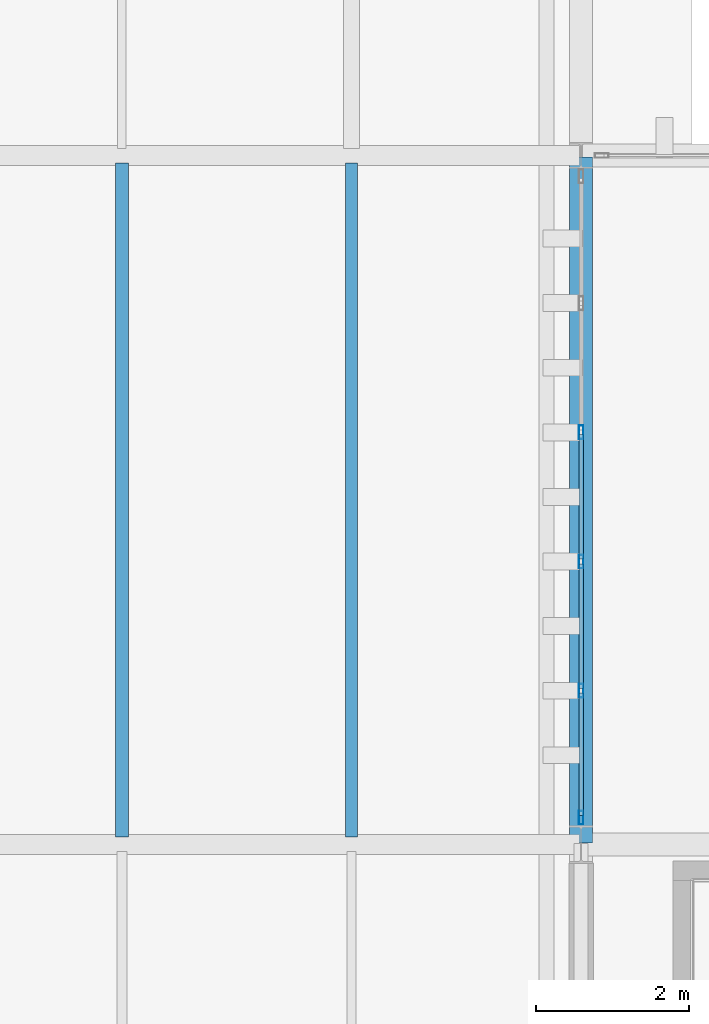
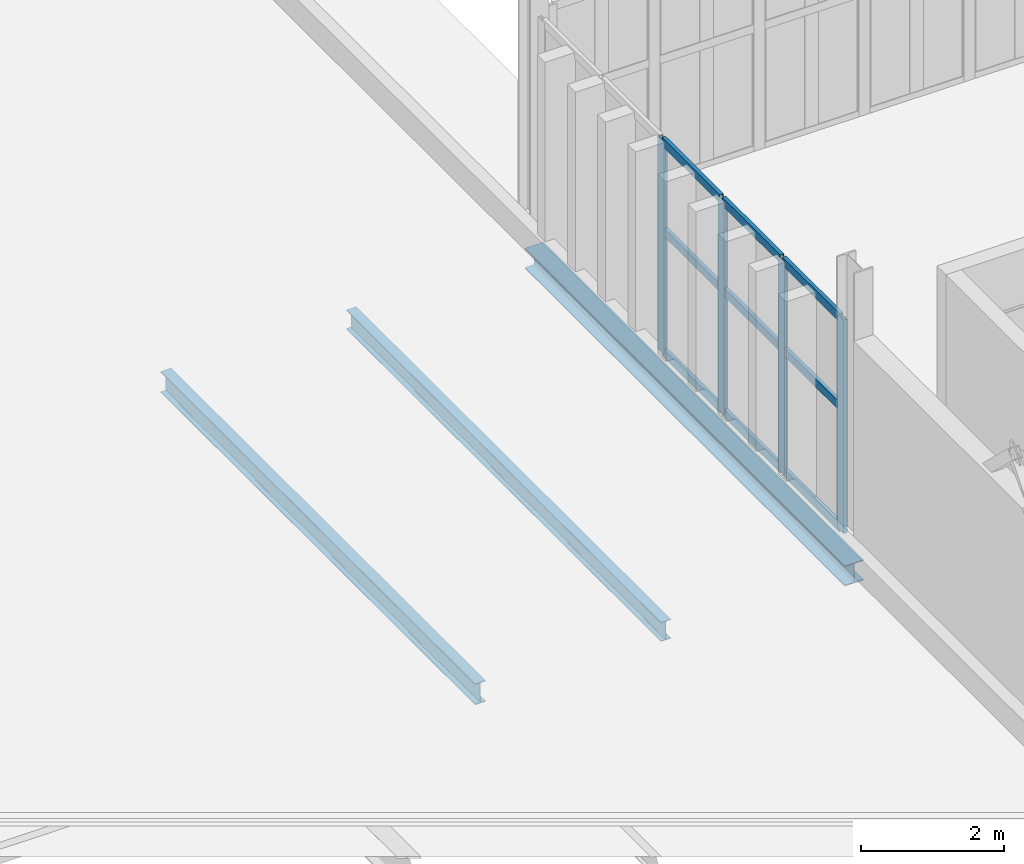
# One storey, part 91 of 196: 13 members, 3 beams, 1 element without a shape of its own.
"""IFC4 building model written with IfcOpenShell, lengths in metres."""

from ifc_helpers import new_model, si_unit, direction, frame, origin, origin_2d, place, context, subcontext, project, spatial, hollow_rectangle, i_section, extrude, material, layer, layer_set, material_profile, profile_set, type_object, element, aggregate, save


model = new_model("IFC4")

# Units and contexts
model_context = context("Model", 3, precision=1e-05, world=origin(), true_north=direction((0.0, 1.0)))
body_context = subcontext(model_context, "Body", "Model", "MODEL_VIEW")
ifc_project = project(units=[si_unit("LENGTHUNIT", "METRE"), si_unit("AREAUNIT", "SQUARE_METRE"), si_unit("VOLUMEUNIT", "CUBIC_METRE"), si_unit("PLANEANGLEUNIT", "RADIAN"), si_unit("MASSUNIT", "GRAM", prefix="KILO")], contexts=[model_context])

# Site, building, storey
site_placement = place(None, origin())
site = spatial("IfcSite", under=ifc_project, at=site_placement, CompositionType="ELEMENT")
building_placement = place(site_placement, origin())
building = spatial("IfcBuilding", under=site, at=building_placement, Name="Barlavento Convention Centre", CompositionType="ELEMENT")
storey_placement = place(building_placement, frame((0.0, 0.0, 18.0)))
storey = spatial("IfcBuildingStorey", under=building, at=storey_placement, Name="L03", CompositionType="ELEMENT", Elevation=18.0)

# Curtain wall, members
ifc_material_1 = material(Name="Powder-coated aluminium and Low-E glass", Category="aluminium")
ifc_layer = layer(ifc_material_1, 0.179931640625)
ifc_layer_set = layer_set([ifc_layer], Name="ARC-CW-CONF-L03")
curtain_wall_type = type_object("IfcCurtainWallType", Name="ARC-CW-CONF-L03", PredefinedType="NOTDEFINED", material=ifc_layer_set)
curtain_wall_placement = place(storey_placement, origin())
curtain_wall = element("IfcCurtainWall", 1, at=curtain_wall_placement, inside=storey, type_object=curtain_wall_type, Name="L03 unitised curtain wall CW08", PredefinedType="NOTDEFINED")
ifc_material_2 = material(Name="Powder-coated aluminium", Category="aluminium")
ifc_material_profile_1 = material_profile(ifc_material_2, hollow_rectangle(XDim=0.06005859375, YDim=0.179931640625, WallThickness=0.0048828125, at=origin_2d()), Name="AL-MULL 60x180x5")
ifc_profile_set_1 = profile_set([ifc_material_profile_1], Name="Powder-coated aluminium")
member_type_1 = type_object("IfcMemberType", Name="ARC-CWM-60X180", PredefinedType="MULLION", material=ifc_profile_set_1)
member_1_placement = place(storey_placement, frame((126.0, 90.35009765625, 0.0), z_axis=(0.0, 0.0, 1.0), x_axis=(-1.0, 0.0, 0.0)))
member_1 = element("IfcMember", 2, at=member_1_placement, type_object=member_type_1, Name="CW08 mullion 1", PredefinedType="MULLION", context=body_context, shape_type="SweptSolid", body=[
    extrude(hollow_rectangle(XDim=0.06005859375, YDim=0.179931640625, WallThickness=0.0048828125, at=origin_2d()), origin(), (0.0, 0.0, 1.0), 3.64990234375),
])
member_2_placement = place(storey_placement, frame((126.0, 92.008056640625, 0.0), z_axis=(0.0, 0.0, 1.0), x_axis=(-1.0, 0.0, 0.0)))
member_2 = element("IfcMember", 3, at=member_2_placement, type_object=member_type_1, Name="CW08 mullion 2", PredefinedType="MULLION", context=body_context, shape_type="SweptSolid", body=[
    extrude(hollow_rectangle(XDim=0.06005859375, YDim=0.179931640625, WallThickness=0.0048828125, at=origin_2d()), origin(), (0.0, 0.0, 1.0), 3.64990234375),
])
member_3_placement = place(storey_placement, frame((126.0, 93.696044921875, 0.0), z_axis=(0.0, 0.0, 1.0), x_axis=(-1.0, 0.0, 0.0)))
member_3 = element("IfcMember", 4, at=member_3_placement, type_object=member_type_1, Name="CW08 mullion 3", PredefinedType="MULLION", context=body_context, shape_type="SweptSolid", body=[
    extrude(hollow_rectangle(XDim=0.06005859375, YDim=0.179931640625, WallThickness=0.0048828125, at=origin_2d()), origin(), (0.0, 0.0, 1.0), 3.64990234375),
])
member_4_placement = place(storey_placement, frame((126.0, 95.384033203125, 0.0), z_axis=(0.0, 0.0, 1.0), x_axis=(-1.0, 0.0, 0.0)))
member_4 = element("IfcMember", 5, at=member_4_placement, type_object=member_type_1, Name="CW08 mullion 4", PredefinedType="MULLION", context=body_context, shape_type="SweptSolid", body=[
    extrude(hollow_rectangle(XDim=0.06005859375, YDim=0.179931640625, WallThickness=0.0048828125, at=origin_2d()), origin(), (0.0, 0.0, 1.0), 3.64990234375),
])
ifc_material_profile_2 = material_profile(ifc_material_2, hollow_rectangle(XDim=0.06005859375, YDim=0.139892578125, WallThickness=0.00390625, at=origin_2d()), Name="AL-TRAN 60x140x4")
ifc_profile_set_2 = profile_set([ifc_material_profile_2], Name="Powder-coated aluminium")
member_type_2 = type_object("IfcMemberType", Name="ARC-CWT-60X140", PredefinedType="USERDEFINED", material=ifc_profile_set_2)
member_5_placement = place(storey_placement, frame((126.0, 90.3798828125, 0.030029296875), z_axis=(0.0, 1.0, 0.0), x_axis=(-1.0, 0.0, 0.0)))
member_5 = element("IfcMember", 6, at=member_5_placement, type_object=member_type_2, Name="CW08 transom 1.1", ObjectType="TRANSOM", PredefinedType="USERDEFINED", context=body_context, shape_type="SweptSolid", body=[
    extrude(hollow_rectangle(XDim=0.06005859375, YDim=0.139892578125, WallThickness=0.00390625, at=origin_2d()), origin(), (0.0, 0.0, 1.0), 1.59814453125),
])
member_6_placement = place(storey_placement, frame((126.0, 90.3798828125, 2.10009765625), z_axis=(0.0, 1.0, 0.0), x_axis=(-1.0, 0.0, 0.0)))
member_6 = element("IfcMember", 7, at=member_6_placement, type_object=member_type_2, Name="CW08 transom 1.2", ObjectType="TRANSOM", PredefinedType="USERDEFINED", context=body_context, shape_type="SweptSolid", body=[
    extrude(hollow_rectangle(XDim=0.06005859375, YDim=0.139892578125, WallThickness=0.00390625, at=origin_2d()), origin(), (0.0, 0.0, 1.0), 1.59814453125),
])
member_7_placement = place(storey_placement, frame((126.0, 90.3798828125, 3.6201171875), z_axis=(0.0, 1.0, 0.0), x_axis=(-1.0, 0.0, 0.0)))
member_7 = element("IfcMember", 8, at=member_7_placement, type_object=member_type_2, Name="CW08 transom 1.3", ObjectType="TRANSOM", PredefinedType="USERDEFINED", context=body_context, shape_type="SweptSolid", body=[
    extrude(hollow_rectangle(XDim=0.06005859375, YDim=0.139892578125, WallThickness=0.00390625, at=origin_2d()), origin(), (0.0, 0.0, 1.0), 1.59814453125),
])
member_8_placement = place(storey_placement, frame((126.0, 92.0380859375, 0.030029296875), z_axis=(0.0, 1.0, 0.0), x_axis=(-1.0, 0.0, 0.0)))
member_8 = element("IfcMember", 9, at=member_8_placement, type_object=member_type_2, Name="CW08 transom 2.1", ObjectType="TRANSOM", PredefinedType="USERDEFINED", context=body_context, shape_type="SweptSolid", body=[
    extrude(hollow_rectangle(XDim=0.06005859375, YDim=0.139892578125, WallThickness=0.00390625, at=origin_2d()), origin(), (0.0, 0.0, 1.0), 1.6279296875),
])
member_9_placement = place(storey_placement, frame((126.0, 92.0380859375, 2.10009765625), z_axis=(0.0, 1.0, 0.0), x_axis=(-1.0, 0.0, 0.0)))
member_9 = element("IfcMember", 10, at=member_9_placement, type_object=member_type_2, Name="CW08 transom 2.2", ObjectType="TRANSOM", PredefinedType="USERDEFINED", context=body_context, shape_type="SweptSolid", body=[
    extrude(hollow_rectangle(XDim=0.06005859375, YDim=0.139892578125, WallThickness=0.00390625, at=origin_2d()), origin(), (0.0, 0.0, 1.0), 1.6279296875),
])
member_10_placement = place(storey_placement, frame((126.0, 92.0380859375, 3.6201171875), z_axis=(0.0, 1.0, 0.0), x_axis=(-1.0, 0.0, 0.0)))
member_10 = element("IfcMember", 11, at=member_10_placement, type_object=member_type_2, Name="CW08 transom 2.3", ObjectType="TRANSOM", PredefinedType="USERDEFINED", context=body_context, shape_type="SweptSolid", body=[
    extrude(hollow_rectangle(XDim=0.06005859375, YDim=0.139892578125, WallThickness=0.00390625, at=origin_2d()), origin(), (0.0, 0.0, 1.0), 1.6279296875),
])
member_11_placement = place(storey_placement, frame((126.0, 93.72607421875, 0.030029296875), z_axis=(0.0, 1.0, 0.0), x_axis=(-1.0, 0.0, 0.0)))
member_11 = element("IfcMember", 12, at=member_11_placement, type_object=member_type_2, Name="CW08 transom 3.1", ObjectType="TRANSOM", PredefinedType="USERDEFINED", context=body_context, shape_type="SweptSolid", body=[
    extrude(hollow_rectangle(XDim=0.06005859375, YDim=0.139892578125, WallThickness=0.00390625, at=origin_2d()), origin(), (0.0, 0.0, 1.0), 1.6279296875),
])
member_12_placement = place(storey_placement, frame((126.0, 93.72607421875, 2.10009765625), z_axis=(0.0, 1.0, 0.0), x_axis=(-1.0, 0.0, 0.0)))
member_12 = element("IfcMember", 13, at=member_12_placement, type_object=member_type_2, Name="CW08 transom 3.2", ObjectType="TRANSOM", PredefinedType="USERDEFINED", context=body_context, shape_type="SweptSolid", body=[
    extrude(hollow_rectangle(XDim=0.06005859375, YDim=0.139892578125, WallThickness=0.00390625, at=origin_2d()), origin(), (0.0, 0.0, 1.0), 1.6279296875),
])
member_13_placement = place(storey_placement, frame((126.0, 93.72607421875, 3.6201171875), z_axis=(0.0, 1.0, 0.0), x_axis=(-1.0, 0.0, 0.0)))
member_13 = element("IfcMember", 14, at=member_13_placement, type_object=member_type_2, Name="CW08 transom 3.3", ObjectType="TRANSOM", PredefinedType="USERDEFINED", context=body_context, shape_type="SweptSolid", body=[
    extrude(hollow_rectangle(XDim=0.06005859375, YDim=0.139892578125, WallThickness=0.00390625, at=origin_2d()), origin(), (0.0, 0.0, 1.0), 1.6279296875),
])
aggregate(curtain_wall, [member_1, member_2, member_3, member_4, member_5, member_6, member_7, member_8, member_9, member_10, member_11, member_12, member_13])

# Beams
ifc_material_3 = material(Name="Steel S355", Category="steel")
ifc_material_profile_3 = material_profile(ifc_material_3, i_section(OverallWidth=0.159912109375, OverallDepth=0.330078125, WebThickness=0.007568359375, FlangeThickness=0.011474609375, FilletRadius=0.01806640625, at=origin_2d()), Name="IPE 330")
ifc_profile_set_3 = profile_set([ifc_material_profile_3], Name="Steel S355")
beam_type_1 = type_object("IfcBeamType", Name="STR-BM-JST-IPE330", PredefinedType="JOIST", material=ifc_profile_set_3)
beam_1_placement = place(storey_placement, frame((123.0, 90.094970703125, -0.510009765625), z_axis=(0.0, 1.0, 0.0), x_axis=(-1.0, 0.0, 0.0)))
element("IfcBeam", 15, at=beam_1_placement, inside=storey, type_object=beam_type_1, Name="L03 composite floor joist SJ06", PredefinedType="JOIST", context=body_context, shape_type="SweptSolid", body=[
    extrude(i_section(OverallWidth=0.159912109375, OverallDepth=0.330078125, WebThickness=0.007568359375, FlangeThickness=0.011474609375, FilletRadius=0.01806640625, at=origin_2d()), origin(), (0.0, 0.0, 1.0), 8.81005859375),
])
ifc_material_profile_4 = material_profile(ifc_material_3, i_section(OverallWidth=0.169921875, OverallDepth=0.360107421875, WebThickness=0.008056640625, FlangeThickness=0.0126953125, FilletRadius=0.01806640625, at=origin_2d()), Name="IPE 360")
ifc_profile_set_4 = profile_set([ifc_material_profile_4], Name="Steel S355")
beam_type_2 = type_object("IfcBeamType", Name="STR-BM-JST-IPE360", PredefinedType="JOIST", material=ifc_profile_set_4)
beam_2_placement = place(storey_placement, frame((120.0, 90.094970703125, -0.52490234375), z_axis=(0.0, 1.0, 0.0), x_axis=(-1.0, 0.0, 0.0)))
element("IfcBeam", 16, at=beam_2_placement, inside=storey, type_object=beam_type_2, Name="L03 composite floor joist SJ05", PredefinedType="JOIST", context=body_context, shape_type="SweptSolid", body=[
    extrude(i_section(OverallWidth=0.169921875, OverallDepth=0.360107421875, WebThickness=0.008056640625, FlangeThickness=0.0126953125, FilletRadius=0.01806640625, at=origin_2d()), origin(), (0.0, 0.0, 1.0), 8.81005859375),
])
ifc_material_profile_5 = material_profile(ifc_material_3, i_section(OverallWidth=0.300048828125, OverallDepth=0.35009765625, WebThickness=0.010009765625, FlangeThickness=0.017578125, FilletRadius=0.027099609375, at=origin_2d()), Name="HEA 360")
ifc_profile_set_5 = profile_set([ifc_material_profile_5], Name="Steel S355")
beam_type_3 = type_object("IfcBeamType", Name="STR-BM-PRI-HEA360", PredefinedType="BEAM", material=ifc_profile_set_5)
beam_3_placement = place(storey_placement, frame((126.0, 90.02001953125, -0.534912109375), z_axis=(0.0, 1.0, 0.0), x_axis=(-1.0, 0.0, 0.0)))
element("IfcBeam", 17, at=beam_3_placement, inside=storey, type_object=beam_type_3, Name="L03 grid girder BG23", PredefinedType="BEAM", context=body_context, shape_type="SweptSolid", body=[
    extrude(i_section(OverallWidth=0.300048828125, OverallDepth=0.35009765625, WebThickness=0.010009765625, FlangeThickness=0.017578125, FilletRadius=0.027099609375, at=origin_2d()), origin(), (0.0, 0.0, 1.0), 8.9599609375),
])

save(model, "model.ifc")
